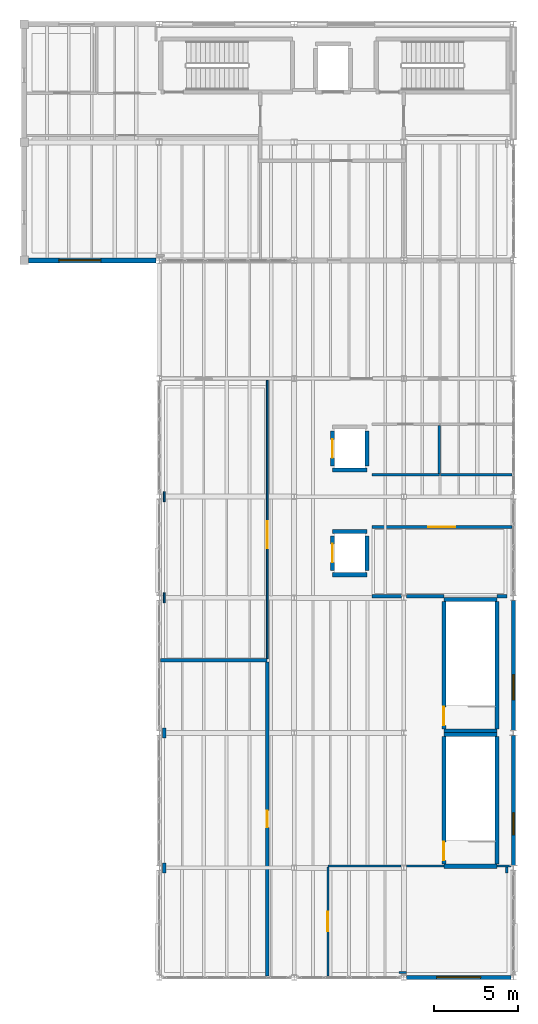
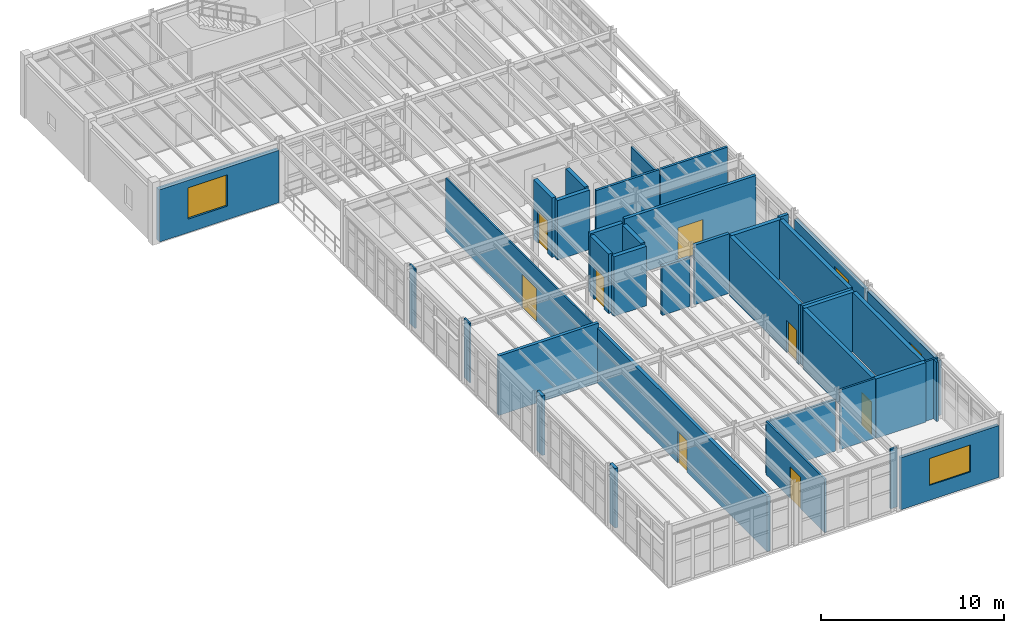
# One storey, part 23 of 27: 39 walls, 8 doors, 4 windows, 12 openings.
"""IFC4 building model written with IfcOpenShell, lengths in metres."""

from ifc_helpers import new_model, si_unit, direction, frame, frame_2d, origin, place, context, subcontext, project, spatial, rectangle, extrude, material, layer, layer_set, type_object, element, fill, save


model = new_model("IFC4")

# Units and contexts
model_context = context("Model", 3, precision=1e-05, world=origin(), true_north=direction((0.0, 1.0)))
body_context = subcontext(model_context, "Body", "Model", "MODEL_VIEW")
ifc_project = project(units=[si_unit("LENGTHUNIT", "METRE"), si_unit("AREAUNIT", "SQUARE_METRE"), si_unit("VOLUMEUNIT", "CUBIC_METRE"), si_unit("PLANEANGLEUNIT", "RADIAN"), si_unit("MASSUNIT", "GRAM", prefix="KILO"), si_unit("THERMODYNAMICTEMPERATUREUNIT", "KELVIN"), si_unit("POWERUNIT", "WATT")], contexts=[model_context])

# Site, building, storey
site_placement = place(None, origin())
site = spatial("IfcSite", under=ifc_project, at=site_placement, CompositionType="ELEMENT")
building_placement = place(site_placement, origin())
building = spatial("IfcBuilding", under=site, at=building_placement, Name="Zhenchuan Central Fire Station", CompositionType="ELEMENT")
storey_placement = place(building_placement, frame((0.0, 0.0, 14.25)))
storey = spatial("IfcBuildingStorey", under=building, at=storey_placement, Name="L04", CompositionType="ELEMENT", Elevation=14.25)

# Wall, opening, window
ifc_material_1 = material(Name="Sintered clay brick masonry MU15", Category="masonry")
ifc_layer_1 = layer(ifc_material_1, 0.300048828125, Name="Sintered clay brick masonry MU15", Category="masonry")
ifc_layer_set_1 = layer_set([ifc_layer_1], Name="Sintered clay brick masonry MU15")
wall_type_1 = type_object("IfcWallType", Name="EW-BRK300", PredefinedType="SOLIDWALL", material=ifc_layer_set_1)
wall_1_placement = place(storey_placement, frame((132.25, 42.5, 0.0), z_axis=(0.0, 0.0, 1.0), x_axis=(1.0, 0.0, 0.0)))
wall_1 = element("IfcWall", 1, at=wall_1_placement, inside=storey, type_object=wall_type_1, Name="EW-L04-V6S-0", PredefinedType="SOLIDWALL", context=body_context, shape_type="SweptSolid", body=[
    extrude(rectangle(XDim=7.574951171875, YDim=0.300048828125, at=frame_2d((3.78759765625, 0.0))), origin(), (0.0, 0.0, 1.0), 3.493896484375),
])
opening_1_placement = place(wall_1_placement, frame((1.800048828125, 0.0, 0.89990234375)))
opening_1 = element("IfcOpeningElement", 2, at=opening_1_placement, cuts=wall_1, Name="Opening W-37", PredefinedType="OPENING", context=body_context, shape_type="SweptSolid", body=[
    extrude(rectangle(XDim=2.5, YDim=2.10009765625, at=frame_2d((1.25, 1.050048828125))), frame((0.0, 0.159912109375, 0.0), z_axis=(0.0, -1.0, 0.0), x_axis=(1.0, 0.0, 0.0)), (0.0, 0.0, 1.0), 0.320068359375),
])
ifc_material_2 = material(Name="Laminated low-E double glazing in aluminium frame", Category="aluminium")
window_type_1 = type_object("IfcWindowType", Name="WN-37", PartitioningType="SINGLE_PANEL", PredefinedType="WINDOW", material=ifc_material_2)
window_1_placement = place(opening_1_placement, origin())
window_1 = element("IfcWindow", 3, at=window_1_placement, inside=storey, type_object=window_type_1, Name="Exterior Window 0126", OverallHeight=2.10009765625, OverallWidth=2.5, PartitioningType="SINGLE_PANEL", PredefinedType="WINDOW", context=body_context, shape_type="SweptSolid", body=[
    extrude(rectangle(XDim=2.5, YDim=2.10009765625, at=frame_2d((1.25, 1.050048828125))), frame((0.0, 0.030029296875, 0.0), z_axis=(0.0, -1.0, 0.0), x_axis=(1.0, 0.0, 0.0)), (0.0, 0.0, 1.0), 0.06005859375),
])
fill(opening_1, window_1)

ifc_material_3 = material(Name="Precast concrete C40/50", Category="concrete")
ifc_layer_2 = layer(ifc_material_3, 0.219970703125, Name="Precast concrete C40/50", Category="concrete")
ifc_layer_set_2 = layer_set([ifc_layer_2], Name="Precast concrete C40/50")
wall_type_2 = type_object("IfcWallType", Name="EW-PRC220", PredefinedType="SOLIDWALL", material=ifc_layer_set_2)
wall_2_placement = place(storey_placement, frame((154.64990234375, 0.0, 0.0), z_axis=(0.0, 0.0, 1.0), x_axis=(1.0, 0.0, 0.0)))
wall_2 = element("IfcWall", 4, at=wall_2_placement, inside=storey, type_object=wall_type_2, Name="EW-L04-V2S-2", PredefinedType="SOLIDWALL", context=body_context, shape_type="SweptSolid", body=[
    extrude(rectangle(XDim=6.2001953125, YDim=0.219970703125, at=frame_2d((3.10009765625, 0.0))), origin(), (0.0, 0.0, 1.0), 3.47412109375),
])
opening_2_placement = place(wall_2_placement, frame((1.800048828125, 0.0, 1.0)))
opening_2 = element("IfcOpeningElement", 5, at=opening_2_placement, cuts=wall_2, Name="Opening W-29", PredefinedType="OPENING", context=body_context, shape_type="SweptSolid", body=[
    extrude(rectangle(XDim=2.60009765625, YDim=1.800048828125, at=frame_2d((1.300048828125, 0.89990234375))), frame((0.0, 0.119873046875, 0.0), z_axis=(0.0, -1.0, 0.0), x_axis=(1.0, 0.0, 0.0)), (0.0, 0.0, 1.0), 0.239990234375),
])
window_type_2 = type_object("IfcWindowType", Name="WN-29", PartitioningType="SINGLE_PANEL", PredefinedType="WINDOW", material=ifc_material_2)
window_2_placement = place(opening_2_placement, origin())
window_2 = element("IfcWindow", 6, at=window_2_placement, inside=storey, type_object=window_type_2, Name="Exterior Window 0094", OverallHeight=1.800048828125, OverallWidth=2.60009765625, PartitioningType="SINGLE_PANEL", PredefinedType="WINDOW", context=body_context, shape_type="SweptSolid", body=[
    extrude(rectangle(XDim=2.60009765625, YDim=1.800048828125, at=frame_2d((1.300048828125, 0.89990234375))), frame((0.0, 0.030029296875, 0.0), z_axis=(0.0, -1.0, 0.0), x_axis=(1.0, 0.0, 0.0)), (0.0, 0.0, 1.0), 0.06005859375),
])
fill(opening_2, window_2)

wall_3_placement = place(storey_placement, frame((161.0, 6.64990234375, 0.0), z_axis=(0.0, 0.0, 1.0), x_axis=(0.0, 1.0, 0.0)))
wall_3 = element("IfcWall", 7, at=wall_3_placement, inside=storey, type_object=wall_type_2, Name="EW-L04-V2E-1", PredefinedType="SOLIDWALL", context=body_context, shape_type="SweptSolid", body=[
    extrude(rectangle(XDim=7.7001953125, YDim=0.219970703125, at=frame_2d((3.85009765625, 0.0))), origin(), (0.0, 0.0, 1.0), 3.674072265625),
])
opening_3_placement = place(wall_3_placement, frame((1.800048828125, 0.0, 1.050048828125)))
opening_3 = element("IfcOpeningElement", 8, at=opening_3_placement, cuts=wall_3, Name="Opening W-33", PredefinedType="OPENING", context=body_context, shape_type="SweptSolid", body=[
    extrude(rectangle(XDim=1.300048828125, YDim=2.0, at=frame_2d((0.64990234375, 1.0))), frame((0.0, 0.119873046875, 0.0), z_axis=(0.0, -1.0, 0.0), x_axis=(1.0, 0.0, 0.0)), (0.0, 0.0, 1.0), 0.239990234375),
])
window_type_3 = type_object("IfcWindowType", Name="WN-33", PartitioningType="SINGLE_PANEL", PredefinedType="WINDOW", material=ifc_material_2)
window_3_placement = place(opening_3_placement, origin())
window_3 = element("IfcWindow", 9, at=window_3_placement, inside=storey, type_object=window_type_3, Name="Exterior Window 0095", OverallHeight=2.0, OverallWidth=1.300048828125, PartitioningType="SINGLE_PANEL", PredefinedType="WINDOW", context=body_context, shape_type="SweptSolid", body=[
    extrude(rectangle(XDim=1.300048828125, YDim=2.0, at=frame_2d((0.64990234375, 1.0))), frame((0.0, 0.030029296875, 0.0), z_axis=(0.0, -1.0, 0.0), x_axis=(1.0, 0.0, 0.0)), (0.0, 0.0, 1.0), 0.06005859375),
])
fill(opening_3, window_3)

wall_4_placement = place(storey_placement, frame((161.0, 14.64990234375, 0.0), z_axis=(0.0, 0.0, 1.0), x_axis=(0.0, 1.0, 0.0)))
wall_4 = element("IfcWall", 10, at=wall_4_placement, inside=storey, type_object=wall_type_2, Name="EW-L04-V2E-2", PredefinedType="SOLIDWALL", context=body_context, shape_type="SweptSolid", body=[
    extrude(rectangle(XDim=7.7001953125, YDim=0.219970703125, at=frame_2d((3.85009765625, 0.0))), origin(), (0.0, 0.0, 1.0), 3.634033203125),
])
opening_4_placement = place(wall_4_placement, frame((1.800048828125, 0.0, 1.050048828125)))
opening_4 = element("IfcOpeningElement", 11, at=opening_4_placement, cuts=wall_4, Name="Opening W-34", PredefinedType="OPENING", context=body_context, shape_type="SweptSolid", body=[
    extrude(rectangle(XDim=1.5, YDim=2.10009765625, at=frame_2d((0.75, 1.050048828125))), frame((0.0, 0.119873046875, 0.0), z_axis=(0.0, -1.0, 0.0), x_axis=(1.0, 0.0, 0.0)), (0.0, 0.0, 1.0), 0.239990234375),
])
window_type_4 = type_object("IfcWindowType", Name="WN-34", PartitioningType="SINGLE_PANEL", PredefinedType="WINDOW", material=ifc_material_2)
window_4_placement = place(opening_4_placement, origin())
window_4 = element("IfcWindow", 12, at=window_4_placement, inside=storey, type_object=window_type_4, Name="Exterior Window 0096", OverallHeight=2.10009765625, OverallWidth=1.5, PartitioningType="SINGLE_PANEL", PredefinedType="WINDOW", context=body_context, shape_type="SweptSolid", body=[
    extrude(rectangle(XDim=1.5, YDim=2.10009765625, at=frame_2d((0.75, 1.050048828125))), frame((0.0, 0.030029296875, 0.0), z_axis=(0.0, -1.0, 0.0), x_axis=(1.0, 0.0, 0.0)), (0.0, 0.0, 1.0), 0.06005859375),
])
fill(opening_4, window_4)

# Walls
ifc_material_4 = material(Name="Autoclaved aerated concrete blockwork", Category="masonry")
ifc_layer_3 = layer(ifc_material_4, 0.14990234375, Name="Autoclaved aerated concrete blockwork", Category="masonry")
ifc_layer_set_3 = layer_set([ifc_layer_3], Name="Autoclaved aerated concrete blockwork")
wall_type_3 = type_object("IfcWallType", Name="IW-BLK150", PredefinedType="PARTITIONING", material=ifc_layer_set_3)
wall_5_placement = place(storey_placement, frame((152.60009765625, 29.800048828125, 0.0), z_axis=(0.0, 0.0, 1.0), x_axis=(1.0, 0.0, 0.0)))
element("IfcWall", 13, at=wall_5_placement, inside=storey, type_object=wall_type_3, Name="Incident Command Washroom S Partition", PredefinedType="PARTITIONING", context=body_context, shape_type="SweptSolid", body=[
    extrude(rectangle(XDim=4.0, YDim=0.14990234375, at=frame_2d((2.0, 0.0))), origin(), (0.0, 0.0, 1.0), 3.97998046875),
])
wall_6_placement = place(storey_placement, frame((156.60009765625, 29.8779296875, 0.0), z_axis=(0.0, 0.0, 1.0), x_axis=(0.0, 1.0, 0.0)))
element("IfcWall", 14, at=wall_6_placement, inside=storey, type_object=wall_type_3, Name="Incident Command Washroom E Partition", PredefinedType="PARTITIONING", context=body_context, shape_type="SweptSolid", body=[
    extrude(rectangle(XDim=2.843994140625, YDim=0.14990234375, at=frame_2d((1.421875, 0.0))), origin(), (0.0, 0.0, 1.0), 3.72412109375),
])
wall_7_placement = place(storey_placement, frame((156.677978515625, 29.800048828125, 0.0), z_axis=(0.0, 0.0, 1.0), x_axis=(1.0, 0.0, 0.0)))
element("IfcWall", 15, at=wall_7_placement, inside=storey, type_object=wall_type_3, Name="Incident Command Accessible WC S Partition", PredefinedType="PARTITIONING", context=body_context, shape_type="SweptSolid", body=[
    extrude(rectangle(XDim=4.239013671875, YDim=0.14990234375, at=frame_2d((2.11962890625, 0.0))), origin(), (0.0, 0.0, 1.0), 3.97998046875),
])
ifc_layer_4 = layer(ifc_material_4, 0.199951171875, Name="Autoclaved aerated concrete blockwork", Category="masonry")
ifc_layer_set_4 = layer_set([ifc_layer_4], Name="Autoclaved aerated concrete blockwork")
wall_type_4 = type_object("IfcWallType", Name="IW-FIR200", PredefinedType="PARTITIONING", material=ifc_layer_set_4)
wall_8_placement = place(storey_placement, frame((140.0830078125, 18.800048828125, 0.0), z_axis=(0.0, 0.0, 1.0), x_axis=(1.0, 0.0, 0.0)))
element("IfcWall", 16, at=wall_8_placement, inside=storey, type_object=wall_type_4, Name="Municipal Incident Command Centre N Partition", PredefinedType="PARTITIONING", context=body_context, shape_type="SweptSolid", body=[
    extrude(rectangle(XDim=6.31689453125, YDim=0.199951171875, at=frame_2d((3.158447265625, 0.0))), origin(), (0.0, 0.0, 1.0), 3.97998046875),
])
for number, where, z_axis, x_axis, name in (
    (17, (140.300048828125, 6.202880859375, 0.0), (0.0, 0.0, 1.0), (0.0, 1.0, 0.0), "Municipal Incident Command Centre W Partition 1"),
    (18, (140.300048828125, 14.202880859375, 0.0), (0.0, 0.0, 1.0), (0.0, 1.0, 0.0), "Municipal Incident Command Centre W Partition 2"),
):
    element("IfcWall", number, at=place(storey_placement, frame(where, z_axis=z_axis, x_axis=x_axis)), inside=storey, type_object=wall_type_4, Name=name, PredefinedType="PARTITIONING", context=body_context, shape_type="SweptSolid", body=[
        extrude(rectangle(XDim=0.59423828125, YDim=0.199951171875, at=frame_2d((0.297119140625, 0.0))), origin(), (0.0, 0.0, 1.0), 3.97998046875),
    ])

# Wall, opening, door
wall_9_placement = place(storey_placement, frame((146.39990234375, 0.0830078125, 0.0), z_axis=(0.0, 0.0, 1.0), x_axis=(0.0, 1.0, 0.0)))
wall_9 = element("IfcWall", 19, at=wall_9_placement, inside=storey, type_object=wall_type_4, Name="Municipal Incident Command Centre E Partition", PredefinedType="PARTITIONING", context=body_context, shape_type="SweptSolid", body=[
    extrude(rectangle(XDim=18.614013671875, YDim=0.199951171875, at=frame_2d((9.30712890625, 0.0))), origin(), (0.0, 0.0, 1.0), 3.674072265625),
])
opening_5_placement = place(wall_9_placement, frame((8.806884765625, 0.0, 0.0)))
opening_5 = element("IfcOpeningElement", 20, at=opening_5_placement, cuts=wall_9, Name="Opening D-171", PredefinedType="OPENING", context=body_context, shape_type="SweptSolid", body=[
    extrude(rectangle(XDim=1.0, YDim=2.10009765625, at=frame_2d((0.5, 1.050048828125))), frame((0.0, 0.10986328125, 0.0), z_axis=(0.0, -1.0, 0.0), x_axis=(1.0, 0.0, 0.0)), (0.0, 0.0, 1.0), 0.219970703125),
])
ifc_material_5 = material(Name="Solid-core timber office door", Category="wood")
door_type_1 = type_object("IfcDoorType", Name="ID-OFF-100x210", OperationType="NOTDEFINED", PredefinedType="DOOR", material=ifc_material_5)
door_1_placement = place(opening_5_placement, origin())
door_1 = element("IfcDoor", 21, at=door_1_placement, inside=storey, type_object=door_type_1, Name="Municipal Incident Command Centre Door", OperationType="SINGLE_SWING_LEFT", OverallHeight=2.10009765625, OverallWidth=1.0, PredefinedType="DOOR", context=body_context, shape_type="SweptSolid", body=[
    extrude(rectangle(XDim=1.0, YDim=2.10009765625, at=frame_2d((0.5, 1.050048828125))), frame((0.0, 0.02490234375, 0.0), z_axis=(0.0, -1.0, 0.0), x_axis=(1.0, 0.0, 0.0)), (0.0, 0.0, 1.0), 0.050048828125),
])
fill(opening_5, door_1)

# Walls
wall_10_placement = place(storey_placement, frame((152.60009765625, 22.60009765625, 0.0), z_axis=(0.0, 0.0, 1.0), x_axis=(1.0, 0.0, 0.0)))
element("IfcWall", 22, at=wall_10_placement, inside=storey, type_object=wall_type_4, Name="Command Situation Briefing Room S Partition 1", PredefinedType="PARTITIONING", context=body_context, shape_type="SweptSolid", body=[
    extrude(rectangle(XDim=1.746826171875, YDim=0.199951171875, at=frame_2d((0.87353515625, 0.0))), origin(), (0.0, 0.0, 1.0), 3.27392578125),
])
wall_11_placement = place(storey_placement, frame((154.653076171875, 22.60009765625, 0.0), z_axis=(0.0, 0.0, 1.0), x_axis=(1.0, 0.0, 0.0)))
element("IfcWall", 23, at=wall_11_placement, inside=storey, type_object=wall_type_4, Name="Command Situation Briefing Room S Partition 2", PredefinedType="PARTITIONING", context=body_context, shape_type="SweptSolid", body=[
    extrude(rectangle(XDim=2.218994140625, YDim=0.199951171875, at=frame_2d((1.109375, 0.0))), origin(), (0.0, 0.0, 1.0), 3.97998046875),
])
wall_12_placement = place(storey_placement, frame((160.028076171875, 22.60009765625, 0.0), z_axis=(0.0, 0.0, 1.0), x_axis=(1.0, 0.0, 0.0)))
element("IfcWall", 24, at=wall_12_placement, inside=storey, type_object=wall_type_4, Name="Command Situation Briefing Room S Partition 3", PredefinedType="PARTITIONING", context=body_context, shape_type="SweptSolid", body=[
    extrude(rectangle(XDim=0.572021484375, YDim=0.199951171875, at=frame_2d((0.2861328125, 0.0))), origin(), (0.0, 0.0, 1.0), 3.97998046875),
])

# Wall, opening, door
wall_13_placement = place(storey_placement, frame((152.60009765625, 26.699951171875, 0.0), z_axis=(0.0, 0.0, 1.0), x_axis=(1.0, 0.0, 0.0)))
wall_13 = element("IfcWall", 25, at=wall_13_placement, inside=storey, type_object=wall_type_4, Name="Command Situation Briefing Room N Partition", PredefinedType="PARTITIONING", context=body_context, shape_type="SweptSolid", body=[
    extrude(rectangle(XDim=8.31689453125, YDim=0.199951171875, at=frame_2d((4.158447265625, 0.0))), origin(), (0.0, 0.0, 1.0), 3.97998046875),
])
opening_6_placement = place(wall_13_placement, frame((3.3583984375, 0.0, 0.0)))
opening_6 = element("IfcOpeningElement", 26, at=opening_6_placement, cuts=wall_13, Name="Opening D-174", PredefinedType="OPENING", context=body_context, shape_type="SweptSolid", body=[
    extrude(rectangle(XDim=1.60009765625, YDim=2.199951171875, at=frame_2d((0.800048828125, 1.10009765625))), frame((0.0, 0.10986328125, 0.0), z_axis=(0.0, -1.0, 0.0), x_axis=(1.0, 0.0, 0.0)), (0.0, 0.0, 1.0), 0.219970703125),
])
ifc_material_6 = material(Name="Glazed timber double corridor fire door", Category="wood")
door_type_2 = type_object("IfcDoorType", Name="ID-COR-160x220", OperationType="NOTDEFINED", PredefinedType="DOOR", material=ifc_material_6)
door_2_placement = place(opening_6_placement, origin())
door_2 = element("IfcDoor", 27, at=door_2_placement, inside=storey, type_object=door_type_2, Name="Command Situation Briefing Room Door", OperationType="SINGLE_SWING_RIGHT", OverallHeight=2.199951171875, OverallWidth=1.60009765625, PredefinedType="DOOR", context=body_context, shape_type="SweptSolid", body=[
    extrude(rectangle(XDim=1.60009765625, YDim=2.199951171875, at=frame_2d((0.800048828125, 1.10009765625))), frame((0.0, 0.02490234375, 0.0), z_axis=(0.0, -1.0, 0.0), x_axis=(1.0, 0.0, 0.0)), (0.0, 0.0, 1.0), 0.050048828125),
])
fill(opening_6, door_2)

# Walls
ifc_material_7 = material(Name="Gypsum plasterboard on steel studs", Category="gypsum")
ifc_layer_5 = layer(ifc_material_7, 0.10009765625, Name="Gypsum plasterboard on steel studs", Category="gypsum")
ifc_layer_set_5 = layer_set([ifc_layer_5], Name="Gypsum plasterboard on steel studs")
wall_type_5 = type_object("IfcWallType", Name="IW-GYP100", PredefinedType="PARTITIONING", material=ifc_layer_set_5)
for number, where, z_axis, x_axis, name in (
    (28, (140.300048828125, 22.202880859375, 0.0), (0.0, 0.0, 1.0), (0.0, 1.0, 0.0), "Multi-Agency Crisis Conference Hall W Partition 1"),
    (29, (140.300048828125, 28.202880859375, 0.0), (0.0, 0.0, 1.0), (0.0, 1.0, 0.0), "Multi-Agency Crisis Conference Hall W Partition 2"),
):
    element("IfcWall", number, at=place(storey_placement, frame(where, z_axis=z_axis, x_axis=x_axis)), inside=storey, type_object=wall_type_5, Name=name, PredefinedType="PARTITIONING", context=body_context, shape_type="SweptSolid", body=[
        extrude(rectangle(XDim=0.59423828125, YDim=0.10009765625, at=frame_2d((0.297119140625, 0.0))), origin(), (0.0, 0.0, 1.0), 3.97998046875),
    ])

# Wall, opening, door
wall_14_placement = place(storey_placement, frame((146.39990234375, 18.903076171875, 0.0), z_axis=(0.0, 0.0, 1.0), x_axis=(0.0, 1.0, 0.0)))
wall_14 = element("IfcWall", 30, at=wall_14_placement, inside=storey, type_object=wall_type_5, Name="Multi-Agency Crisis Conference Hall E Partition", PredefinedType="PARTITIONING", context=body_context, shape_type="SweptSolid", body=[
    extrude(rectangle(XDim=16.48388671875, YDim=0.10009765625, at=frame_2d((8.241943359375, 0.0))), origin(), (0.0, 0.0, 1.0), 3.573974609375),
])
opening_7_placement = place(wall_14_placement, frame((6.5419921875, 0.0, 0.0)))
opening_7 = element("IfcOpeningElement", 31, at=opening_7_placement, cuts=wall_14, Name="Opening D-172", PredefinedType="OPENING", context=body_context, shape_type="SweptSolid", body=[
    extrude(rectangle(XDim=1.60009765625, YDim=2.199951171875, at=frame_2d((0.800048828125, 1.10009765625))), frame((0.0, 0.06005859375, 0.0), z_axis=(0.0, -1.0, 0.0), x_axis=(1.0, 0.0, 0.0)), (0.0, 0.0, 1.0), 0.1201171875),
])
door_3_placement = place(opening_7_placement, origin())
door_3 = element("IfcDoor", 32, at=door_3_placement, inside=storey, type_object=door_type_2, Name="Multi-Agency Crisis Conference Hall Door", OperationType="SINGLE_SWING_RIGHT", OverallHeight=2.199951171875, OverallWidth=1.60009765625, PredefinedType="DOOR", context=body_context, shape_type="SweptSolid", body=[
    extrude(rectangle(XDim=1.60009765625, YDim=2.199951171875, at=frame_2d((0.800048828125, 1.10009765625))), frame((0.0, 0.02490234375, 0.0), z_axis=(0.0, -1.0, 0.0), x_axis=(1.0, 0.0, 0.0)), (0.0, 0.0, 1.0), 0.050048828125),
])
fill(opening_7, door_3)

# Walls
ifc_layer_6 = layer(ifc_material_7, 0.1201171875, Name="Gypsum plasterboard on steel studs", Category="gypsum")
ifc_layer_set_6 = layer_set([ifc_layer_6], Name="Gypsum plasterboard on steel studs")
wall_type_6 = type_object("IfcWallType", Name="IW-GYP120", PredefinedType="PARTITIONING", material=ifc_layer_set_6)
wall_15_placement = place(storey_placement, frame((154.202880859375, 0.300048828125, 0.0), z_axis=(0.0, 0.0, 1.0), x_axis=(1.0, 0.0, 0.0)))
element("IfcWall", 33, at=wall_15_placement, inside=storey, type_object=wall_type_6, Name="Press and Public Briefing Studio S Partition", PredefinedType="PARTITIONING", context=body_context, shape_type="SweptSolid", body=[
    extrude(rectangle(XDim=0.444091796875, YDim=0.1201171875, at=frame_2d((0.22216796875, 0.0))), origin(), (0.0, 0.0, 1.0), 3.97998046875),
])
wall_16_placement = place(storey_placement, frame((150.0, 6.60009765625, 0.0), z_axis=(0.0, 0.0, 1.0), x_axis=(1.0, 0.0, 0.0)))
element("IfcWall", 34, at=wall_16_placement, inside=storey, type_object=wall_type_6, Name="Press and Public Briefing Studio N Partition 1", PredefinedType="PARTITIONING", context=body_context, shape_type="SweptSolid", body=[
    extrude(rectangle(XDim=4.346923828125, YDim=0.1201171875, at=frame_2d((2.17333984375, 0.0))), origin(), (0.0, 0.0, 1.0), 3.47412109375),
])
wall_17_placement = place(storey_placement, frame((154.653076171875, 6.60009765625, 0.0), z_axis=(0.0, 0.0, 1.0), x_axis=(1.0, 0.0, 0.0)))
element("IfcWall", 35, at=wall_17_placement, inside=storey, type_object=wall_type_6, Name="Press and Public Briefing Studio N Partition 2", PredefinedType="PARTITIONING", context=body_context, shape_type="SweptSolid", body=[
    extrude(rectangle(XDim=2.218994140625, YDim=0.1201171875, at=frame_2d((1.109375, 0.0))), origin(), (0.0, 0.0, 1.0), 3.97998046875),
])
wall_18_placement = place(storey_placement, frame((160.028076171875, 6.60009765625, 0.0), z_axis=(0.0, 0.0, 1.0), x_axis=(1.0, 0.0, 0.0)))
element("IfcWall", 36, at=wall_18_placement, inside=storey, type_object=wall_type_6, Name="Press and Public Briefing Studio N Partition 3", PredefinedType="PARTITIONING", context=body_context, shape_type="SweptSolid", body=[
    extrude(rectangle(XDim=0.81884765625, YDim=0.1201171875, at=frame_2d((0.409423828125, 0.0))), origin(), (0.0, 0.0, 1.0), 3.97998046875),
])

# Wall, opening, door
wall_19_placement = place(storey_placement, frame((150.0, 0.0830078125, 0.0), z_axis=(0.0, 0.0, 1.0), x_axis=(0.0, 1.0, 0.0)))
wall_19 = element("IfcWall", 37, at=wall_19_placement, inside=storey, type_object=wall_type_6, Name="Press and Public Briefing Studio W Partition", PredefinedType="PARTITIONING", context=body_context, shape_type="SweptSolid", body=[
    extrude(rectangle(XDim=6.4541015625, YDim=0.1201171875, at=frame_2d((3.22705078125, 0.0))), origin(), (0.0, 0.0, 1.0), 3.573974609375),
])
opening_8_placement = place(wall_19_placement, frame((2.652099609375, 0.0, 0.0)))
opening_8 = element("IfcOpeningElement", 38, at=opening_8_placement, cuts=wall_19, Name="Opening D-173", PredefinedType="OPENING", context=body_context, shape_type="SweptSolid", body=[
    extrude(rectangle(XDim=1.14990234375, YDim=2.10009765625, at=frame_2d((0.574951171875, 1.050048828125))), frame((0.0, 0.070068359375, 0.0), z_axis=(0.0, -1.0, 0.0), x_axis=(1.0, 0.0, 0.0)), (0.0, 0.0, 1.0), 0.14013671875),
])
ifc_material_8 = material(Name="Glazed vision-panel classroom door")
door_type_3 = type_object("IfcDoorType", Name="ID-CLS-115x210", OperationType="NOTDEFINED", PredefinedType="DOOR", material=ifc_material_8)
door_4_placement = place(opening_8_placement, origin())
door_4 = element("IfcDoor", 39, at=door_4_placement, inside=storey, type_object=door_type_3, Name="Press and Public Briefing Studio Door", OperationType="SINGLE_SWING_LEFT", OverallHeight=2.10009765625, OverallWidth=1.14990234375, PredefinedType="DOOR", context=body_context, shape_type="SweptSolid", body=[
    extrude(rectangle(XDim=1.14990234375, YDim=2.10009765625, at=frame_2d((0.574951171875, 1.050048828125))), frame((0.0, 0.02490234375, 0.0), z_axis=(0.0, -1.0, 0.0), x_axis=(1.0, 0.0, 0.0)), (0.0, 0.0, 1.0), 0.050048828125),
])
fill(opening_8, door_4)

# Walls
wall_20_placement = place(storey_placement, frame((160.60009765625, 6.202880859375, 0.0), z_axis=(0.0, 0.0, 1.0), x_axis=(0.0, 1.0, 0.0)))
element("IfcWall", 40, at=wall_20_placement, inside=storey, type_object=wall_type_6, Name="Press and Public Briefing Studio E Partition", PredefinedType="PARTITIONING", context=body_context, shape_type="SweptSolid", body=[
    extrude(rectangle(XDim=0.334228515625, YDim=0.1201171875, at=frame_2d((0.1669921875, 0.0))), origin(), (0.0, 0.0, 1.0), 3.97998046875),
])
ifc_material_9 = material(Name="Concrete C40/50", Category="concrete")
ifc_layer_7 = layer(ifc_material_9, 0.25, Name="Concrete C40/50", Category="concrete")
ifc_layer_set_7 = layer_set([ifc_layer_7], Name="Concrete C40/50")
wall_type_7 = type_object("IfcWallType", Name="IW-SHR250", PredefinedType="SHEAR", material=ifc_layer_set_7)
for number, where, z_axis, x_axis, name in (
    (41, (156.875, 6.594970703125, 0.0), (0.0, 0.0, 1.0), (1.0, 0.0, 0.0), "ST-10 L04 South Core Wall"),
    (42, (156.875, 14.405029296875, 0.0), (0.0, 0.0, 1.0), (1.0, 0.0, 0.0), "ST-10 L04 North Core Wall"),
):
    element("IfcWall", number, at=place(storey_placement, frame(where, z_axis=z_axis, x_axis=x_axis)), inside=storey, type_object=wall_type_7, Name=name, PredefinedType="SHEAR", context=body_context, shape_type="SweptSolid", body=[
        extrude(rectangle(XDim=3.14990234375, YDim=0.25, at=frame_2d((1.574951171875, 0.0))), origin(), (0.0, 0.0, 1.0), 3.97998046875),
    ])

# Wall, opening, door
wall_21_placement = place(storey_placement, frame((156.875, 6.719970703125, 0.0), z_axis=(0.0, 0.0, 1.0), x_axis=(0.0, 1.0, 0.0)))
wall_21 = element("IfcWall", 43, at=wall_21_placement, inside=storey, type_object=wall_type_7, Name="ST-10 L04 West Core Wall", PredefinedType="SHEAR", context=body_context, shape_type="SweptSolid", body=[
    extrude(rectangle(XDim=7.56005859375, YDim=0.25, at=frame_2d((3.780029296875, 0.0))), origin(), (0.0, 0.0, 1.0), 3.97998046875),
])
opening_9_placement = place(wall_21_placement, frame((0.219970703125, 0.0, 0.0)))
opening_9 = element("IfcOpeningElement", 44, at=opening_9_placement, cuts=wall_21, Name="Opening D-025", PredefinedType="OPENING", context=body_context, shape_type="SweptSolid", body=[
    extrude(rectangle(XDim=1.10009765625, YDim=2.14990234375, at=frame_2d((0.550048828125, 1.074951171875))), frame((0.0, 0.135009765625, 0.0), z_axis=(0.0, -1.0, 0.0), x_axis=(1.0, 0.0, 0.0)), (0.0, 0.0, 1.0), 0.27001953125),
])
ifc_material_10 = material(Name="Painted steel acoustic fire door", Category="steel")
door_type_4 = type_object("IfcDoorType", Name="ID-ST-110x215", OperationType="NOTDEFINED", PredefinedType="DOOR", material=ifc_material_10)
door_5_placement = place(opening_9_placement, origin())
door_5 = element("IfcDoor", 45, at=door_5_placement, inside=storey, type_object=door_type_4, Name="ST-10 L04 Fire Door", OperationType="SINGLE_SWING_LEFT", OverallHeight=2.14990234375, OverallWidth=1.10009765625, PredefinedType="DOOR", context=body_context, shape_type="SweptSolid", body=[
    extrude(rectangle(XDim=1.10009765625, YDim=2.14990234375, at=frame_2d((0.550048828125, 1.074951171875))), frame((0.0, 0.02490234375, 0.0), z_axis=(0.0, -1.0, 0.0), x_axis=(1.0, 0.0, 0.0)), (0.0, 0.0, 1.0), 0.050048828125),
])
fill(opening_9, door_5)

# Walls
wall_22_placement = place(storey_placement, frame((160.02490234375, 6.719970703125, 0.0), z_axis=(0.0, 0.0, 1.0), x_axis=(0.0, 1.0, 0.0)))
element("IfcWall", 46, at=wall_22_placement, inside=storey, type_object=wall_type_7, Name="ST-10 L04 East Core Wall", PredefinedType="SHEAR", context=body_context, shape_type="SweptSolid", body=[
    extrude(rectangle(XDim=7.56005859375, YDim=0.25, at=frame_2d((3.780029296875, 0.0))), origin(), (0.0, 0.0, 1.0), 3.97998046875),
])
for number, where, z_axis, x_axis, name in (
    (47, (156.875, 14.594970703125, 0.0), (0.0, 0.0, 1.0), (1.0, 0.0, 0.0), "ST-11 L04 South Core Wall"),
    (48, (156.875, 22.405029296875, 0.0), (0.0, 0.0, 1.0), (1.0, 0.0, 0.0), "ST-11 L04 North Core Wall"),
):
    element("IfcWall", number, at=place(storey_placement, frame(where, z_axis=z_axis, x_axis=x_axis)), inside=storey, type_object=wall_type_7, Name=name, PredefinedType="SHEAR", context=body_context, shape_type="SweptSolid", body=[
        extrude(rectangle(XDim=3.14990234375, YDim=0.25, at=frame_2d((1.574951171875, 0.0))), origin(), (0.0, 0.0, 1.0), 3.97998046875),
    ])

# Wall, opening, door
wall_23_placement = place(storey_placement, frame((156.875, 14.719970703125, 0.0), z_axis=(0.0, 0.0, 1.0), x_axis=(0.0, 1.0, 0.0)))
wall_23 = element("IfcWall", 49, at=wall_23_placement, inside=storey, type_object=wall_type_7, Name="ST-11 L04 West Core Wall", PredefinedType="SHEAR", context=body_context, shape_type="SweptSolid", body=[
    extrude(rectangle(XDim=7.56005859375, YDim=0.25, at=frame_2d((3.780029296875, 0.0))), origin(), (0.0, 0.0, 1.0), 3.97998046875),
])
opening_10_placement = place(wall_23_placement, frame((0.219970703125, 0.0, 0.0)))
opening_10 = element("IfcOpeningElement", 50, at=opening_10_placement, cuts=wall_23, Name="Opening D-029", PredefinedType="OPENING", context=body_context, shape_type="SweptSolid", body=[
    extrude(rectangle(XDim=1.10009765625, YDim=2.14990234375, at=frame_2d((0.550048828125, 1.074951171875))), frame((0.0, 0.135009765625, 0.0), z_axis=(0.0, -1.0, 0.0), x_axis=(1.0, 0.0, 0.0)), (0.0, 0.0, 1.0), 0.27001953125),
])
door_6_placement = place(opening_10_placement, origin())
door_6 = element("IfcDoor", 51, at=door_6_placement, inside=storey, type_object=door_type_4, Name="ST-11 L04 Fire Door", OperationType="SINGLE_SWING_LEFT", OverallHeight=2.14990234375, OverallWidth=1.10009765625, PredefinedType="DOOR", context=body_context, shape_type="SweptSolid", body=[
    extrude(rectangle(XDim=1.10009765625, YDim=2.14990234375, at=frame_2d((0.550048828125, 1.074951171875))), frame((0.0, 0.02490234375, 0.0), z_axis=(0.0, -1.0, 0.0), x_axis=(1.0, 0.0, 0.0)), (0.0, 0.0, 1.0), 0.050048828125),
])
fill(opening_10, door_6)

# Walls
wall_24_placement = place(storey_placement, frame((160.02490234375, 14.719970703125, 0.0), z_axis=(0.0, 0.0, 1.0), x_axis=(0.0, 1.0, 0.0)))
element("IfcWall", 52, at=wall_24_placement, inside=storey, type_object=wall_type_7, Name="ST-11 L04 East Core Wall", PredefinedType="SHEAR", context=body_context, shape_type="SweptSolid", body=[
    extrude(rectangle(XDim=7.56005859375, YDim=0.25, at=frame_2d((3.780029296875, 0.0))), origin(), (0.0, 0.0, 1.0), 3.97998046875),
])
for number, where, z_axis, x_axis, name in (
    (53, (150.27490234375, 23.875, 0.0), (0.0, 0.0, 1.0), (1.0, 0.0, 0.0), "Lift LP-01 L04 South Shaft Wall"),
    (54, (150.27490234375, 26.425048828125, 0.0), (0.0, 0.0, 1.0), (1.0, 0.0, 0.0), "Lift LP-01 L04 North Shaft Wall"),
):
    element("IfcWall", number, at=place(storey_placement, frame(where, z_axis=z_axis, x_axis=x_axis)), inside=storey, type_object=wall_type_7, Name=name, PredefinedType="SHEAR", context=body_context, shape_type="SweptSolid", body=[
        extrude(rectangle(XDim=2.050048828125, YDim=0.25, at=frame_2d((1.02490234375, 0.0))), origin(), (0.0, 0.0, 1.0), 3.97998046875),
    ])

# Wall, opening, door
wall_25_placement = place(storey_placement, frame((150.27490234375, 24.125, 0.0), z_axis=(0.0, 0.0, 1.0), x_axis=(0.0, 1.0, 0.0)))
wall_25 = element("IfcWall", 55, at=wall_25_placement, inside=storey, type_object=wall_type_7, Name="Lift LP-01 L04 West Shaft Wall", PredefinedType="SHEAR", context=body_context, shape_type="SweptSolid", body=[
    extrude(rectangle(XDim=2.050048828125, YDim=0.25, at=frame_2d((1.02490234375, 0.0))), origin(), (0.0, 0.0, 1.0), 3.97998046875),
])
opening_11_placement = place(wall_25_placement, frame((0.47509765625, 0.0, 0.0)))
opening_11 = element("IfcOpeningElement", 56, at=opening_11_placement, cuts=wall_25, Name="Opening LD-010", PredefinedType="OPENING", context=body_context, shape_type="SweptSolid", body=[
    extrude(rectangle(XDim=1.10009765625, YDim=2.14990234375, at=frame_2d((0.550048828125, 1.074951171875))), frame((0.0, 0.135009765625, 0.0), z_axis=(0.0, -1.0, 0.0), x_axis=(1.0, 0.0, 0.0)), (0.0, 0.0, 1.0), 0.27001953125),
])
ifc_material_11 = material(Name="Brushed stainless steel sliding landing door", Category="steel")
door_type_5 = type_object("IfcDoorType", Name="ID-LD-110x215", OperationType="NOTDEFINED", PredefinedType="DOOR", material=ifc_material_11)
door_7_placement = place(opening_11_placement, origin())
door_7 = element("IfcDoor", 57, at=door_7_placement, inside=storey, type_object=door_type_5, Name="Lift LP-01 L04 Sliding Landing Door", OperationType="DOUBLE_DOOR_SLIDING", OverallHeight=2.14990234375, OverallWidth=1.10009765625, PredefinedType="DOOR", context=body_context, shape_type="SweptSolid", body=[
    extrude(rectangle(XDim=1.10009765625, YDim=2.14990234375, at=frame_2d((0.550048828125, 1.074951171875))), frame((0.0, 0.02490234375, 0.0), z_axis=(0.0, -1.0, 0.0), x_axis=(1.0, 0.0, 0.0)), (0.0, 0.0, 1.0), 0.050048828125),
])
fill(opening_11, door_7)

# Walls
for number, where, z_axis, x_axis, name in (
    (58, (152.324951171875, 24.125, 0.0), (0.0, 0.0, 1.0), (0.0, 1.0, 0.0), "Lift LP-01 L04 East Shaft Wall"),
    (59, (150.27490234375, 30.074951171875, 0.0), (0.0, 0.0, 1.0), (1.0, 0.0, 0.0), "Lift LP-02 L04 South Shaft Wall"),
):
    element("IfcWall", number, at=place(storey_placement, frame(where, z_axis=z_axis, x_axis=x_axis)), inside=storey, type_object=wall_type_7, Name=name, PredefinedType="SHEAR", context=body_context, shape_type="SweptSolid", body=[
        extrude(rectangle(XDim=2.050048828125, YDim=0.25, at=frame_2d((1.02490234375, 0.0))), origin(), (0.0, 0.0, 1.0), 3.97998046875),
    ])

# Wall, opening, door
wall_26_placement = place(storey_placement, frame((150.27490234375, 30.324951171875, 0.0), z_axis=(0.0, 0.0, 1.0), x_axis=(0.0, 1.0, 0.0)))
wall_26 = element("IfcWall", 60, at=wall_26_placement, inside=storey, type_object=wall_type_7, Name="Lift LP-02 L04 West Shaft Wall", PredefinedType="SHEAR", context=body_context, shape_type="SweptSolid", body=[
    extrude(rectangle(XDim=2.050048828125, YDim=0.25, at=frame_2d((1.02490234375, 0.0))), origin(), (0.0, 0.0, 1.0), 3.97998046875),
])
opening_12_placement = place(wall_26_placement, frame((0.47509765625, 0.0, 0.0)))
opening_12 = element("IfcOpeningElement", 61, at=opening_12_placement, cuts=wall_26, Name="Opening LD-014", PredefinedType="OPENING", context=body_context, shape_type="SweptSolid", body=[
    extrude(rectangle(XDim=1.10009765625, YDim=2.14990234375, at=frame_2d((0.550048828125, 1.074951171875))), frame((0.0, 0.135009765625, 0.0), z_axis=(0.0, -1.0, 0.0), x_axis=(1.0, 0.0, 0.0)), (0.0, 0.0, 1.0), 0.27001953125),
])
door_8_placement = place(opening_12_placement, origin())
door_8 = element("IfcDoor", 62, at=door_8_placement, inside=storey, type_object=door_type_5, Name="Lift LP-02 L04 Sliding Landing Door", OperationType="DOUBLE_DOOR_SLIDING", OverallHeight=2.14990234375, OverallWidth=1.10009765625, PredefinedType="DOOR", context=body_context, shape_type="SweptSolid", body=[
    extrude(rectangle(XDim=1.10009765625, YDim=2.14990234375, at=frame_2d((0.550048828125, 1.074951171875))), frame((0.0, 0.02490234375, 0.0), z_axis=(0.0, -1.0, 0.0), x_axis=(1.0, 0.0, 0.0)), (0.0, 0.0, 1.0), 0.050048828125),
])
fill(opening_12, door_8)

# Wall
wall_27_placement = place(storey_placement, frame((152.324951171875, 30.324951171875, 0.0), z_axis=(0.0, 0.0, 1.0), x_axis=(0.0, 1.0, 0.0)))
element("IfcWall", 63, at=wall_27_placement, inside=storey, type_object=wall_type_7, Name="Lift LP-02 L04 East Shaft Wall", PredefinedType="SHEAR", context=body_context, shape_type="SweptSolid", body=[
    extrude(rectangle(XDim=2.050048828125, YDim=0.25, at=frame_2d((1.02490234375, 0.0))), origin(), (0.0, 0.0, 1.0), 3.97998046875),
])

save(model, "model.ifc")
